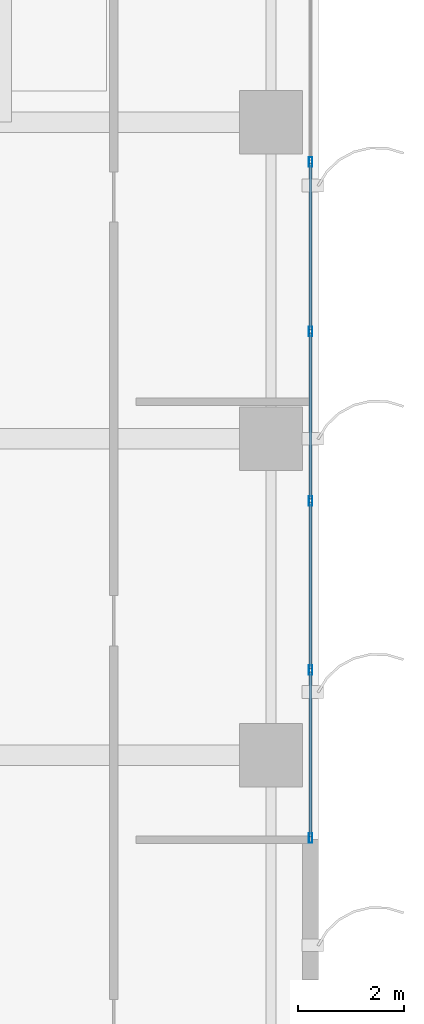
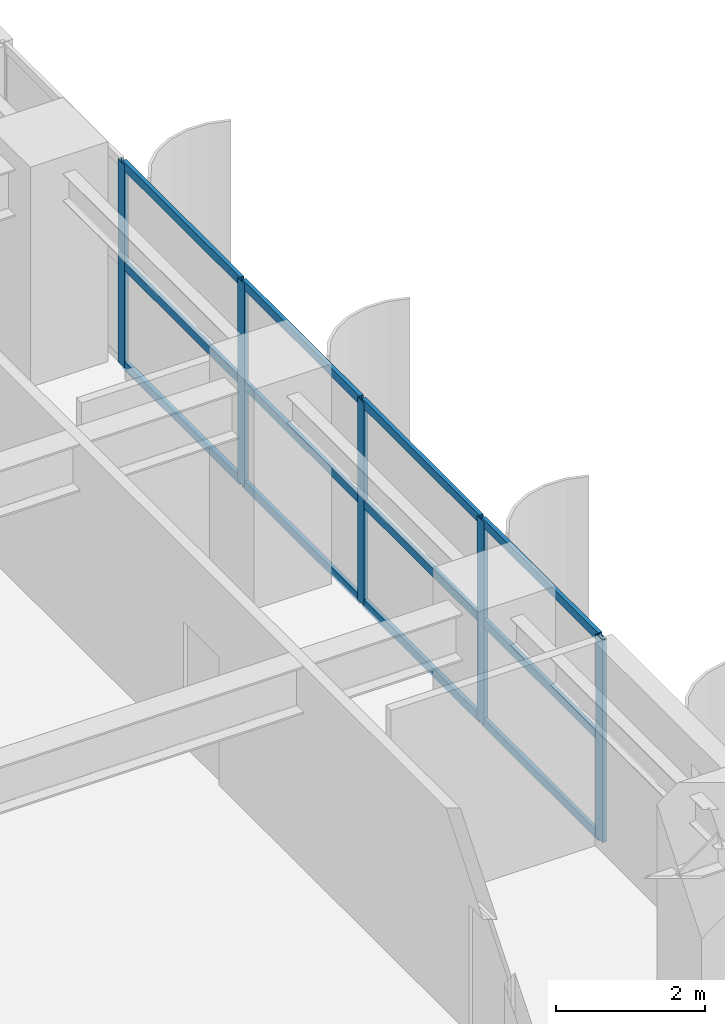
# One storey, part 7 of 24: 17 members, 1 element without a shape of its own.
"""IFC4 building model written with IfcOpenShell, lengths in metres."""

import ifcopenshell
import ifcopenshell.guid

model = None  # the IFC model being written
_history = None  # IfcOwnerHistory: only IFC2X3 demands one
_inside = {}  # id of a spatial element -> (the spatial element, [elements in it])
_under = {}  # id of a project, library or spatial element -> (it, [spatial elements below it])
_declared = {}  # id of a project -> (the project, [libraries it declares])
_typed = {}  # id of a type object -> (the type object, [elements of that type])
_made_of = {}  # id of a material, layer set ... -> (it, [elements and type objects made of it])


def new_model(schema):
    """Start an empty IFC model of exactly this schema.

    Asked for "IFC4X3", IfcOpenShell would pick the latest addendum, in which some entities
    have other attributes; the version numbers below select the first issue.
    IFC2X3 requires an IfcOwnerHistory on every rooted entity: one is made here for all.
    """
    global model, _history
    if schema == "IFC4X3":
        model = ifcopenshell.file(schema_version=(4, 3, 0, 0))
    else:
        model = ifcopenshell.file(schema=schema)
    _inside.clear()
    _under.clear()
    _declared.clear()
    _typed.clear()
    _made_of.clear()
    _history = None
    if model.schema == "IFC2X3":
        org = make("IfcOrganization", Name="unknown")
        user = make(
            "IfcPersonAndOrganization",
            ThePerson=make("IfcPerson", FamilyName="unknown"),
            TheOrganization=org,
        )
        app = make(
            "IfcApplication",
            ApplicationDeveloper=org,
            Version="unknown",
            ApplicationFullName="unknown",
            ApplicationIdentifier="unknown",
        )
        _history = make(
            "IfcOwnerHistory",
            OwningUser=user,
            OwningApplication=app,
            ChangeAction="ADDED",
            CreationDate=0,
        )
    return model


def make(cls, **values):
    """One entity of the class cls with the attributes given. An attribute that is None is left unset."""
    return model.create_entity(
        cls, **{name: value for name, value in values.items() if value is not None}
    )


def rooted(cls, **values):
    """An entity with a GlobalId (a new one), such as an element, a storey or a relation."""
    return make(cls, GlobalId=ifcopenshell.guid.new(), OwnerHistory=_history, **values)


def si_unit(unit_type, name, prefix=None):
    """IfcSIUnit, for example si_unit("LENGTHUNIT", "METRE", prefix="MILLI")."""
    return make("IfcSIUnit", UnitType=unit_type, Prefix=prefix, Name=name)


def assignment(units):
    """IfcUnitAssignment: the units of a project."""
    return None if units is None else make("IfcUnitAssignment", Units=units)


def point(xyz):
    """IfcCartesianPoint."""
    return None if xyz is None else make("IfcCartesianPoint", Coordinates=xyz)


def direction(xyz):
    """IfcDirection."""
    return None if xyz is None else make("IfcDirection", DirectionRatios=xyz)


def frame(location, z_axis=None, x_axis=None):
    """IfcAxis2Placement3D, a coordinate frame: its origin and axes. An axis left out is left unset."""
    return make(
        "IfcAxis2Placement3D",
        Location=point(location),
        Axis=direction(z_axis),
        RefDirection=direction(x_axis),
    )


def frame_2d(location, x_axis=None):
    """IfcAxis2Placement2D, a coordinate frame in the plane: its origin and x axis."""
    return make(
        "IfcAxis2Placement2D", Location=point(location), RefDirection=direction(x_axis)
    )


def origin():
    """The frame at (0, 0, 0) with its axes left unset."""
    return frame((0.0, 0.0, 0.0))


def origin_2d():
    """The frame at (0, 0) in the plane with its x axis left unset."""
    return frame_2d((0.0, 0.0))


def place(relative_to, where):
    """IfcLocalPlacement: puts the frame where relative to a parent placement (None: the world)."""
    return make(
        "IfcLocalPlacement", PlacementRelTo=relative_to, RelativePlacement=where
    )


def context(
    kind, dimensions, precision=None, world=None, true_north=None, identifier=None
):
    """IfcGeometricRepresentationContext, for example the 3D "Model" context."""
    return make(
        "IfcGeometricRepresentationContext",
        ContextIdentifier=identifier,
        ContextType=kind,
        CoordinateSpaceDimension=dimensions,
        Precision=precision,
        WorldCoordinateSystem=world,
        TrueNorth=true_north,
    )


def subcontext(parent, identifier, kind, view, scale=None):
    """IfcGeometricRepresentationSubContext, for example "Body" below "Model"."""
    return make(
        "IfcGeometricRepresentationSubContext",
        ContextIdentifier=identifier,
        ContextType=kind,
        ParentContext=parent,
        TargetScale=scale,
        TargetView=view,
    )


def project(units=None, contexts=None):
    """IfcProject with its units and contexts."""
    return rooted(
        "IfcProject",
        Name="project",
        RepresentationContexts=contexts,
        UnitsInContext=assignment(units),
    )


def spatial(cls, under=None, at=None, **own):
    """A site, building, storey or space (cls), placed at a placement, below another one or the project."""
    s = rooted(cls, ObjectPlacement=at, **own)
    if under is not None:
        _under.setdefault(under.id(), (under, []))[1].append(s)
    return s


def profile(cls, at=None, kind="AREA", **sizes):
    """A parametric profile (cls). Its sizes go by their IFC names, for example OverallWidth=200.0."""
    return make(cls, ProfileType=kind, Position=at, **sizes)


def hollow_rectangle(**sizes):
    """IfcRectangleHollowProfileDef."""
    return profile("IfcRectangleHollowProfileDef", **sizes)


def extrude(swept, where, along, depth):
    """IfcExtrudedAreaSolid: the profile swept, set in the frame where, extruded along a direction by depth."""
    return make(
        "IfcExtrudedAreaSolid",
        SweptArea=swept,
        Position=where,
        ExtrudedDirection=direction(along),
        Depth=depth,
    )


def shape(context_of_items, identifier, shape_type, items):
    """IfcShapeRepresentation: the items that make up one representation, for example the "Body"."""
    return make(
        "IfcShapeRepresentation",
        ContextOfItems=context_of_items,
        RepresentationIdentifier=identifier,
        RepresentationType=shape_type,
        Items=items,
    )


def source(mapping_origin, context_of_items, identifier, shape_type, items):
    """IfcRepresentationMap: a shape defined once, which mapped items show again and again."""
    return make(
        "IfcRepresentationMap",
        MappingOrigin=mapping_origin,
        MappedRepresentation=shape(context_of_items, identifier, shape_type, items),
    )


def transform(
    local_origin,
    x_axis=None,
    y_axis=None,
    z_axis=None,
    scale=None,
    scale2=None,
    scale3=None,
    uniform=True,
):
    """IfcCartesianTransformationOperator3D, or its non-uniform kind. x_axis, y_axis, z_axis: its Axis1, 2, 3."""
    if uniform:
        return make(
            "IfcCartesianTransformationOperator3D",
            Axis1=direction(x_axis),
            Axis2=direction(y_axis),
            LocalOrigin=point(local_origin),
            Scale=scale,
            Axis3=direction(z_axis),
        )
    return make(
        "IfcCartesianTransformationOperator3DnonUniform",
        Axis1=direction(x_axis),
        Axis2=direction(y_axis),
        LocalOrigin=point(local_origin),
        Scale=scale,
        Axis3=direction(z_axis),
        Scale2=scale2,
        Scale3=scale3,
    )


def mapped(mapping_source, mapping_target):
    """IfcMappedItem: shows the shape of a source again, moved by a transform."""
    return make(
        "IfcMappedItem", MappingSource=mapping_source, MappingTarget=mapping_target
    )


def material(Name=None, Category=None):
    """IfcMaterial."""
    return make("IfcMaterial", Name=Name, Category=Category)


def layer(
    of_material, thickness, ventilated=None, Name=None, Category=None, Priority=None
):
    """IfcMaterialLayer: one layer of a wall or slab, of a material (None: an air gap)."""
    return make(
        "IfcMaterialLayer",
        Material=of_material,
        LayerThickness=thickness,
        IsVentilated=ventilated,
        Name=Name,
        Category=Category,
        Priority=Priority,
    )


def layer_set(layers, Name=None):
    """IfcMaterialLayerSet."""
    return make("IfcMaterialLayerSet", MaterialLayers=layers, LayerSetName=Name)


def material_profile(
    of_material, cross_section, Name=None, Category=None, Priority=None
):
    """IfcMaterialProfile: a cross section and its material."""
    return make(
        "IfcMaterialProfile",
        Name=Name,
        Material=of_material,
        Profile=cross_section,
        Priority=Priority,
        Category=Category,
    )


def profile_set(profiles, Name=None, composite=None):
    """IfcMaterialProfileSet."""
    return make(
        "IfcMaterialProfileSet",
        Name=Name,
        MaterialProfiles=profiles,
        CompositeProfile=composite,
    )


def made_of(thing, what):
    """Note that an element or type object is made of a material, layer set ...; save() writes the relation."""
    if what is not None:
        _made_of.setdefault(what.id(), (what, []))[1].append(thing)
    return thing


def type_object(cls, material=None, **own):
    """A type object (cls), such as IfcWallType, which elements share."""
    return made_of(rooted(cls, **own), material)


def element(
    cls,
    number,
    at=None,
    inside=None,
    cuts=None,
    type_object=None,
    material=None,
    context=None,
    identifier="Body",
    shape_type=None,
    held_by="IfcProductDefinitionShape",
    body=None,
    shapes=None,
    **own,
):
    """One element of the class cls, such as IfcWall. Its Tag is "e" and its number.

    at: its placement. inside: the storey or other place that contains it. cuts: it is an
    opening in that element (IfcRelVoidsElement). A single representation is given by context,
    identifier, shape_type and body (its items); several are given by shapes. held_by: the class
    of the entity that holds the representations. save() writes the other relations.
    """
    e = rooted(cls, Tag="e%d" % number, ObjectPlacement=at, **own)
    if body is not None:
        shapes = [shape(context, identifier, shape_type, body)]
    if shapes is not None:
        e.Representation = make(held_by, Representations=shapes)
    if inside is not None:
        _inside.setdefault(inside.id(), (inside, []))[1].append(e)
    if cuts is not None:
        rooted(
            "IfcRelVoidsElement", RelatingBuildingElement=cuts, RelatedOpeningElement=e
        )
    if type_object is not None:
        _typed.setdefault(type_object.id(), (type_object, []))[1].append(e)
    return made_of(e, material)


def aggregate(whole, parts):
    """IfcRelAggregates: a whole, such as a stair, and the parts it consists of."""
    return rooted("IfcRelAggregates", RelatingObject=whole, RelatedObjects=parts)


def save(model, path):
    """Write the relations noted so far, then the file.

    IfcRelAggregates (storeys below a building ...), IfcRelContainedInSpatialStructure (elements
    in a storey), IfcRelDefinesByType, IfcRelAssociatesMaterial and IfcRelDeclares: one each for
    every whole, place, type object, material and project.
    """
    for whole, parts in _under.values():
        aggregate(whole, parts)
    for where, things in _inside.values():
        rooted(
            "IfcRelContainedInSpatialStructure",
            RelatedElements=things,
            RelatingStructure=where,
        )
    for kind, things in _typed.values():
        rooted("IfcRelDefinesByType", RelatedObjects=things, RelatingType=kind)
    for what, things in _made_of.values():
        rooted("IfcRelAssociatesMaterial", RelatedObjects=things, RelatingMaterial=what)
    for by, libraries in _declared.values():
        rooted("IfcRelDeclares", RelatingContext=by, RelatedDefinitions=libraries)
    model.write(path)


model = new_model("IFC4")

# Units and contexts
model_context = context("Model", 3, precision=1e-05, world=origin(), true_north=direction((0.0, 1.0)))
body_context = subcontext(model_context, "Body", "Model", "MODEL_VIEW")
ifc_project = project(units=[si_unit("LENGTHUNIT", "METRE"), si_unit("AREAUNIT", "SQUARE_METRE"), si_unit("VOLUMEUNIT", "CUBIC_METRE"), si_unit("PLANEANGLEUNIT", "RADIAN"), si_unit("MASSUNIT", "GRAM", prefix="KILO")], contexts=[model_context])

# Site, building, storey
site_placement = place(None, origin())
site = spatial("IfcSite", under=ifc_project, at=site_placement, CompositionType="ELEMENT")
building_placement = place(site_placement, origin())
building = spatial("IfcBuilding", under=site, at=building_placement, Name="Khoralis Quay Care Tower", CompositionType="ELEMENT")
storey_placement = place(building_placement, frame((0.0, 0.0, 40.5)))
storey = spatial("IfcBuildingStorey", under=building, at=storey_placement, Name="L10", CompositionType="ELEMENT", Elevation=40.5)

# Curtain wall, members
ifc_material = material(Name="Pale anodised aluminium", Category="aluminium")
ifc_layer = layer(ifc_material, 0.179931640625)
ifc_layer_set = layer_set([ifc_layer], Name="Pale anodised aluminium")
curtain_wall_type = type_object("IfcCurtainWallType", Name="CW-SYS-Z1", PredefinedType="NOTDEFINED", material=ifc_layer_set)
curtain_wall_placement = place(storey_placement, origin())
curtain_wall = element("IfcCurtainWall", 1, at=curtain_wall_placement, inside=storey, type_object=curtain_wall_type, Name="L10 Unitised Curtain Wall CW-L10-P1-E5", PredefinedType="NOTDEFINED")
ifc_material_profile_1 = material_profile(ifc_material, hollow_rectangle(XDim=0.06494140625, YDim=0.179931640625, WallThickness=0.00390625, at=origin_2d()), Name="Pale anodised aluminium")
ifc_profile_set_1 = profile_set([ifc_material_profile_1], Name="Pale anodised aluminium")
member_type_1 = type_object("IfcMemberType", Name="CW-MUL-180", PredefinedType="MULLION", material=ifc_profile_set_1)
shared_shape_1 = source(origin(), body_context, "Body", "SweptSolid", [
    extrude(hollow_rectangle(XDim=0.06494140625, YDim=0.179931640625, WallThickness=0.00390625, at=origin_2d()), origin(), (0.0, 0.0, 1.0), 3.320068359375),
])
member_1_placement = place(storey_placement, frame((47.85009765625, 16.429931640625, 0.0), z_axis=(0.0, 0.0, 1.0), x_axis=(-1.0, 0.0, 0.0)))
member_1 = element("IfcMember", 2, at=member_1_placement, type_object=member_type_1, Name="CW1 mullion 1", PredefinedType="MULLION", context=body_context, shape_type="MappedRepresentation", body=[
    mapped(shared_shape_1, transform((0.0, 0.0, 0.0), scale=1.0)),
])
member_2_placement = place(storey_placement, frame((47.85009765625, 19.612060546875, 0.0), z_axis=(0.0, 0.0, 1.0), x_axis=(-1.0, 0.0, 0.0)))
member_2 = element("IfcMember", 3, at=member_2_placement, type_object=member_type_1, Name="CW1 mullion 2", PredefinedType="MULLION", context=body_context, shape_type="MappedRepresentation", body=[
    mapped(shared_shape_1, transform((0.0, 0.0, 0.0), scale=1.0)),
])
member_3_placement = place(storey_placement, frame((47.85009765625, 22.823974609375, 0.0), z_axis=(0.0, 0.0, 1.0), x_axis=(-1.0, 0.0, 0.0)))
member_3 = element("IfcMember", 4, at=member_3_placement, type_object=member_type_1, Name="CW1 mullion 3", PredefinedType="MULLION", context=body_context, shape_type="MappedRepresentation", body=[
    mapped(shared_shape_1, transform((0.0, 0.0, 0.0), scale=1.0)),
])
member_4_placement = place(storey_placement, frame((47.85009765625, 26.035888671875, 0.0), z_axis=(0.0, 0.0, 1.0), x_axis=(-1.0, 0.0, 0.0)))
member_4 = element("IfcMember", 5, at=member_4_placement, type_object=member_type_1, Name="CW1 mullion 4", PredefinedType="MULLION", context=body_context, shape_type="MappedRepresentation", body=[
    mapped(shared_shape_1, transform((0.0, 0.0, 0.0), scale=1.0)),
])
member_5_placement = place(storey_placement, frame((47.85009765625, 29.248046875, 0.0), z_axis=(0.0, 0.0, 1.0), x_axis=(-1.0, 0.0, 0.0)))
member_5 = element("IfcMember", 6, at=member_5_placement, type_object=member_type_1, Name="CW1 mullion 5", PredefinedType="MULLION", context=body_context, shape_type="MappedRepresentation", body=[
    mapped(shared_shape_1, transform((0.0, 0.0, 0.0), scale=1.0)),
])
ifc_material_profile_2 = material_profile(ifc_material, hollow_rectangle(XDim=0.06005859375, YDim=0.139892578125, WallThickness=0.00390625, at=origin_2d()), Name="Pale anodised aluminium")
ifc_profile_set_2 = profile_set([ifc_material_profile_2], Name="Pale anodised aluminium")
member_type_2 = type_object("IfcMemberType", Name="CW-TRN-140", PredefinedType="USERDEFINED", material=ifc_profile_set_2)
shared_shape_2 = source(origin(), body_context, "Body", "SweptSolid", [
    extrude(hollow_rectangle(XDim=0.06005859375, YDim=0.139892578125, WallThickness=0.00390625, at=origin_2d()), origin(), (0.0, 0.0, 1.0), 3.1220703125),
])
member_6_placement = place(storey_placement, frame((47.85009765625, 16.4599609375, 0.030029296875), z_axis=(0.0, 1.0, 0.0), x_axis=(-1.0, 0.0, 0.0)))
member_6 = element("IfcMember", 7, at=member_6_placement, type_object=member_type_2, Name="CW1 transom 1.1", ObjectType="TRANSOM", PredefinedType="USERDEFINED", context=body_context, shape_type="MappedRepresentation", body=[
    mapped(shared_shape_2, transform((0.0, 0.0, 0.0), scale=1.0)),
])
member_7_placement = place(storey_placement, frame((47.85009765625, 16.4599609375, 1.659912109375), z_axis=(0.0, 1.0, 0.0), x_axis=(-1.0, 0.0, 0.0)))
member_7 = element("IfcMember", 8, at=member_7_placement, type_object=member_type_2, Name="CW1 transom 1.2", ObjectType="TRANSOM", PredefinedType="USERDEFINED", context=body_context, shape_type="MappedRepresentation", body=[
    mapped(shared_shape_2, transform((0.0, 0.0, 0.0), scale=1.0)),
])
member_8_placement = place(storey_placement, frame((47.85009765625, 16.4599609375, 3.2900390625), z_axis=(0.0, 1.0, 0.0), x_axis=(-1.0, 0.0, 0.0)))
member_8 = element("IfcMember", 9, at=member_8_placement, type_object=member_type_2, Name="CW1 transom 1.3", ObjectType="TRANSOM", PredefinedType="USERDEFINED", context=body_context, shape_type="MappedRepresentation", body=[
    mapped(shared_shape_2, transform((0.0, 0.0, 0.0), scale=1.0)),
])
shared_shape_3 = source(origin(), body_context, "Body", "SweptSolid", [
    extrude(hollow_rectangle(XDim=0.06005859375, YDim=0.139892578125, WallThickness=0.00390625, at=origin_2d()), origin(), (0.0, 0.0, 1.0), 3.15185546875),
])
member_9_placement = place(storey_placement, frame((47.85009765625, 19.64208984375, 0.030029296875), z_axis=(0.0, 1.0, 0.0), x_axis=(-1.0, 0.0, 0.0)))
member_9 = element("IfcMember", 10, at=member_9_placement, type_object=member_type_2, Name="CW1 transom 2.1", ObjectType="TRANSOM", PredefinedType="USERDEFINED", context=body_context, shape_type="MappedRepresentation", body=[
    mapped(shared_shape_3, transform((0.0, 0.0, 0.0), scale=1.0)),
])
member_10_placement = place(storey_placement, frame((47.85009765625, 19.64208984375, 1.659912109375), z_axis=(0.0, 1.0, 0.0), x_axis=(-1.0, 0.0, 0.0)))
member_10 = element("IfcMember", 11, at=member_10_placement, type_object=member_type_2, Name="CW1 transom 2.2", ObjectType="TRANSOM", PredefinedType="USERDEFINED", context=body_context, shape_type="MappedRepresentation", body=[
    mapped(shared_shape_3, transform((0.0, 0.0, 0.0), scale=1.0)),
])
member_11_placement = place(storey_placement, frame((47.85009765625, 19.64208984375, 3.2900390625), z_axis=(0.0, 1.0, 0.0), x_axis=(-1.0, 0.0, 0.0)))
member_11 = element("IfcMember", 12, at=member_11_placement, type_object=member_type_2, Name="CW1 transom 2.3", ObjectType="TRANSOM", PredefinedType="USERDEFINED", context=body_context, shape_type="MappedRepresentation", body=[
    mapped(shared_shape_3, transform((0.0, 0.0, 0.0), scale=1.0)),
])
shared_shape_4 = source(origin(), body_context, "Body", "SweptSolid", [
    extrude(hollow_rectangle(XDim=0.06005859375, YDim=0.139892578125, WallThickness=0.00390625, at=origin_2d()), origin(), (0.0, 0.0, 1.0), 3.152099609375),
])
member_12_placement = place(storey_placement, frame((47.85009765625, 22.85400390625, 0.030029296875), z_axis=(0.0, 1.0, 0.0), x_axis=(-1.0, 0.0, 0.0)))
member_12 = element("IfcMember", 13, at=member_12_placement, type_object=member_type_2, Name="CW1 transom 3.1", ObjectType="TRANSOM", PredefinedType="USERDEFINED", context=body_context, shape_type="MappedRepresentation", body=[
    mapped(shared_shape_4, transform((0.0, 0.0, 0.0), scale=1.0)),
])
member_13_placement = place(storey_placement, frame((47.85009765625, 22.85400390625, 1.659912109375), z_axis=(0.0, 1.0, 0.0), x_axis=(-1.0, 0.0, 0.0)))
member_13 = element("IfcMember", 14, at=member_13_placement, type_object=member_type_2, Name="CW1 transom 3.2", ObjectType="TRANSOM", PredefinedType="USERDEFINED", context=body_context, shape_type="MappedRepresentation", body=[
    mapped(shared_shape_4, transform((0.0, 0.0, 0.0), scale=1.0)),
])
member_14_placement = place(storey_placement, frame((47.85009765625, 22.85400390625, 3.2900390625), z_axis=(0.0, 1.0, 0.0), x_axis=(-1.0, 0.0, 0.0)))
member_14 = element("IfcMember", 15, at=member_14_placement, type_object=member_type_2, Name="CW1 transom 3.3", ObjectType="TRANSOM", PredefinedType="USERDEFINED", context=body_context, shape_type="MappedRepresentation", body=[
    mapped(shared_shape_4, transform((0.0, 0.0, 0.0), scale=1.0)),
])
member_15_placement = place(storey_placement, frame((47.85009765625, 26.06591796875, 0.030029296875), z_axis=(0.0, 1.0, 0.0), x_axis=(-1.0, 0.0, 0.0)))
member_15 = element("IfcMember", 16, at=member_15_placement, type_object=member_type_2, Name="CW1 transom 4.1", ObjectType="TRANSOM", PredefinedType="USERDEFINED", context=body_context, shape_type="MappedRepresentation", body=[
    mapped(shared_shape_4, transform((0.0, 0.0, 0.0), scale=1.0)),
])
member_16_placement = place(storey_placement, frame((47.85009765625, 26.06591796875, 1.659912109375), z_axis=(0.0, 1.0, 0.0), x_axis=(-1.0, 0.0, 0.0)))
member_16 = element("IfcMember", 17, at=member_16_placement, type_object=member_type_2, Name="CW1 transom 4.2", ObjectType="TRANSOM", PredefinedType="USERDEFINED", context=body_context, shape_type="MappedRepresentation", body=[
    mapped(shared_shape_4, transform((0.0, 0.0, 0.0), scale=1.0)),
])
member_17_placement = place(storey_placement, frame((47.85009765625, 26.06591796875, 3.2900390625), z_axis=(0.0, 1.0, 0.0), x_axis=(-1.0, 0.0, 0.0)))
member_17 = element("IfcMember", 18, at=member_17_placement, type_object=member_type_2, Name="CW1 transom 4.3", ObjectType="TRANSOM", PredefinedType="USERDEFINED", context=body_context, shape_type="MappedRepresentation", body=[
    mapped(shared_shape_4, transform((0.0, 0.0, 0.0), scale=1.0)),
])
aggregate(curtain_wall, [member_1, member_2, member_3, member_4, member_5, member_6, member_7, member_8, member_9, member_10, member_11, member_12, member_13, member_14, member_15, member_16, member_17])

save(model, "model.ifc")
